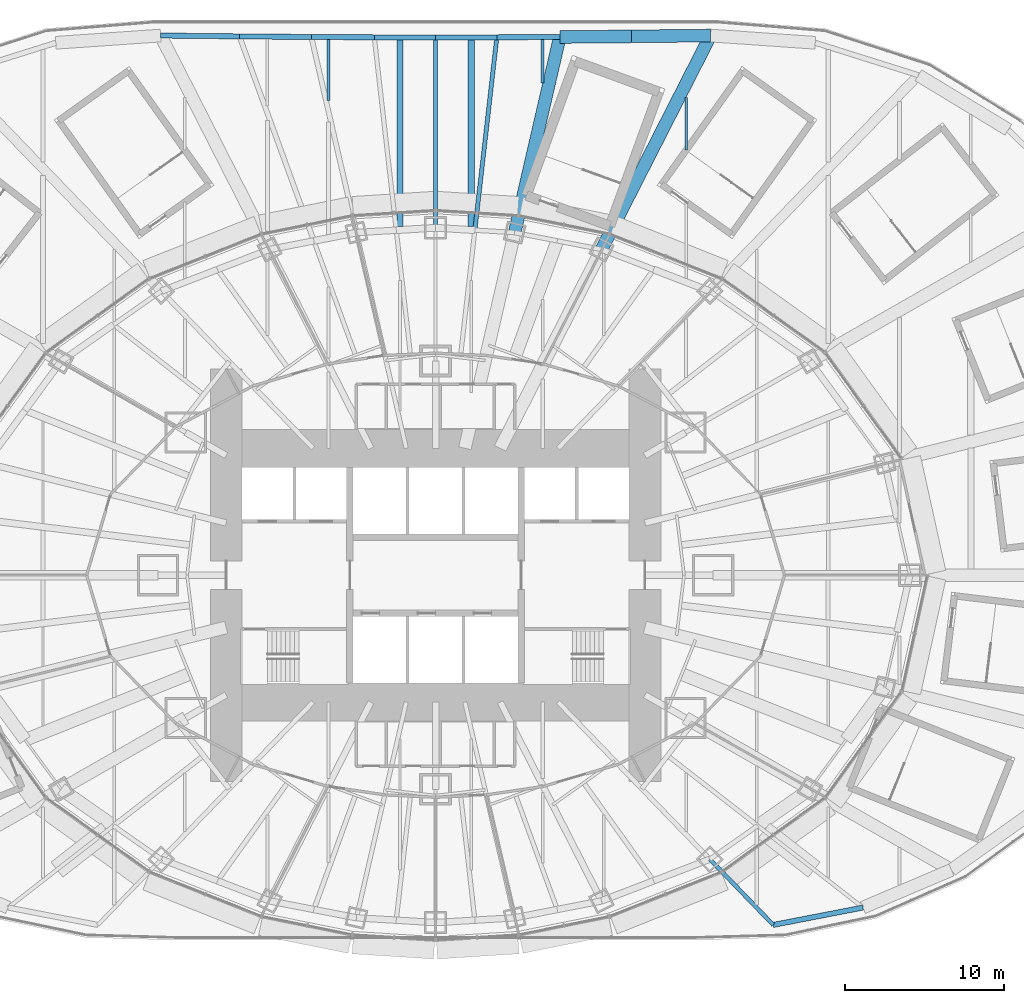
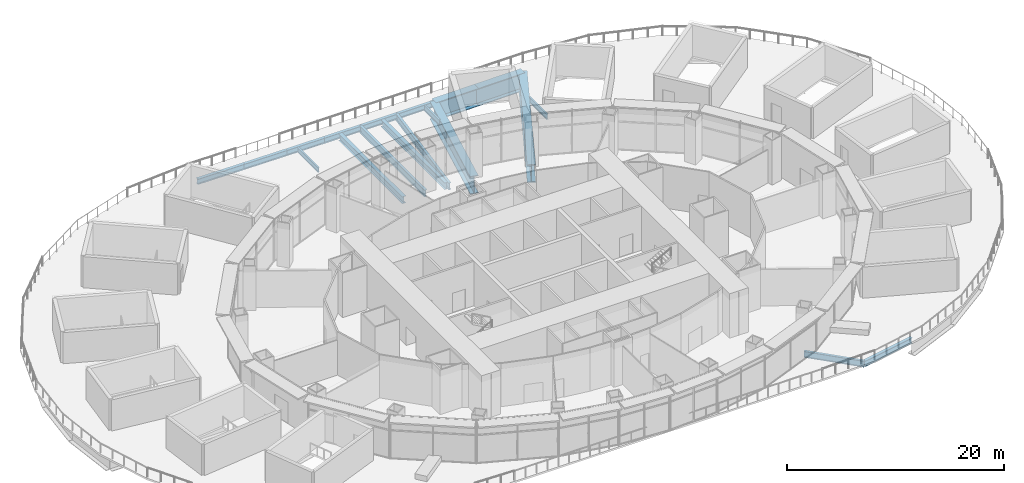
# One storey, part 9 of 25: 19 beams.
"""IFC4 building model written with IfcOpenShell, lengths in metres."""

from ifc_helpers import new_model, si_unit, direction, frame, origin, origin_2d, place, context, subcontext, project, spatial, i_section, extrude, material, material_profile, profile_set, type_object, element, save


model = new_model("IFC4")

# Units and contexts
model_context = context("Model", 3, precision=1e-05, world=origin(), true_north=direction((0.0, 1.0)))
body_context = subcontext(model_context, "Body", "Model", "MODEL_VIEW")
ifc_project = project(units=[si_unit("LENGTHUNIT", "METRE"), si_unit("AREAUNIT", "SQUARE_METRE"), si_unit("VOLUMEUNIT", "CUBIC_METRE"), si_unit("PLANEANGLEUNIT", "RADIAN"), si_unit("MASSUNIT", "GRAM", prefix="KILO")], contexts=[model_context])

# Site, building, storey
site_placement = place(None, origin())
site = spatial("IfcSite", under=ifc_project, at=site_placement, CompositionType="ELEMENT")
building_placement = place(site_placement, origin())
building = spatial("IfcBuilding", under=site, at=building_placement, Name="Lantaw Convention Tower", CompositionType="ELEMENT")
storey_placement = place(building_placement, frame((0.0, 0.0, 32.0)))
storey = spatial("IfcBuildingStorey", under=building, at=storey_placement, Name="L05", CompositionType="ELEMENT", Elevation=32.0)

# Beams
ifc_material_1 = material(Name="Steel ASTM A572 Grade 50", Category="steel")
ifc_material_profile_1 = material_profile(ifc_material_1, i_section(OverallWidth=0.800048828125, OverallDepth=2.0, WebThickness=0.030029296875, FlangeThickness=0.080078125, at=origin_2d()), Name="PG2000X800X30X80")
ifc_profile_set_1 = profile_set([ifc_material_profile_1], Name="Steel ASTM A572 Grade 50")
beam_type_1 = type_object("IfcBeamType", Name="Beam E PG2000X800X30X80", PredefinedType="SPANDREL", material=ifc_profile_set_1)
beam_1_placement = place(storey_placement, frame((17.333984375, 34.019775390625, -1.199951171875), z_axis=(-0.999942166471, -0.010754706535, 0.0), x_axis=(0.010754706535, -0.999942166471, 0.0)))
element("IfcBeam", 1, at=beam_1_placement, inside=storey, type_object=beam_type_1, Name="Podium edge beam R04", PredefinedType="SPANDREL", context=body_context, shape_type="SweptSolid", body=[
    extrude(i_section(OverallWidth=0.800048828125, OverallDepth=2.0, WebThickness=0.030029296875, FlangeThickness=0.080078125, at=origin_2d()), origin(), (0.0, 0.0, 1.0), 4.971435546875),
])
beam_2_placement = place(storey_placement, frame((12.36279296875, 33.96630859375, -1.199951171875), z_axis=(-0.999964655563, -0.00840759331, 0.0), x_axis=(0.00840759331, -0.999964655563, 0.0)))
element("IfcBeam", 2, at=beam_2_placement, inside=storey, type_object=beam_type_1, Name="Podium edge beam B04", PredefinedType="SPANDREL", context=body_context, shape_type="SweptSolid", body=[
    extrude(i_section(OverallWidth=0.800048828125, OverallDepth=2.0, WebThickness=0.030029296875, FlangeThickness=0.080078125, at=origin_2d()), origin(), (0.0, 0.0, 1.0), 4.530029296875),
])
ifc_material_2 = material(Name="Steel ASTM A992", Category="steel")
ifc_material_profile_2 = material_profile(ifc_material_2, i_section(OverallWidth=0.3251953125, OverallDepth=0.612060546875, WebThickness=0.0126953125, FlangeThickness=0.01904296875, FilletRadius=0.0126953125, at=origin_2d()), Name="W24X104")
ifc_profile_set_2 = profile_set([ifc_material_profile_2], Name="Steel ASTM A992")
beam_type_2 = type_object("IfcBeamType", Name="Beam E W24X104", PredefinedType="SPANDREL", material=ifc_profile_set_2)
beam_3_placement = place(storey_placement, frame((7.8330078125, 33.92822265625, -0.506103515625), z_axis=(-0.999985686096, -0.005350476918, 0.0), x_axis=(0.005350476918, -0.999985686096, 0.0)))
element("IfcBeam", 3, at=beam_3_placement, inside=storey, type_object=beam_type_2, Name="Podium edge beam R05", PredefinedType="SPANDREL", context=body_context, shape_type="SweptSolid", body=[
    extrude(i_section(OverallWidth=0.3251953125, OverallDepth=0.612060546875, WebThickness=0.0126953125, FlangeThickness=0.01904296875, FilletRadius=0.0126953125, at=origin_2d()), origin(), (0.0, 0.0, 1.0), 3.9697265625),
])
for number, where, z_axis, x_axis, name in (
    (4, (3.86328125, 33.906982421875, -0.506103515625), (-0.999998320684, -0.001832656174, 0.0), (0.001832656174, -0.999998320684, 0.0), "Podium edge beam B05"),
    (5, (0.0, 33.89990234375, -0.506103515625), (-0.999998320684, 0.001832656174, 0.0), (-0.001832656174, -0.999998320684, 0.0), "Podium edge beam R06"),
):
    element("IfcBeam", number, at=place(storey_placement, frame(where, z_axis=z_axis, x_axis=x_axis)), inside=storey, type_object=beam_type_2, Name=name, PredefinedType="SPANDREL", context=body_context, shape_type="SweptSolid", body=[
        extrude(i_section(OverallWidth=0.3251953125, OverallDepth=0.612060546875, WebThickness=0.0126953125, FlangeThickness=0.01904296875, FilletRadius=0.0126953125, at=origin_2d()), origin(), (0.0, 0.0, 1.0), 3.86328125),
    ])
beam_4_placement = place(storey_placement, frame((-3.86328125, 33.906982421875, -0.506103515625), z_axis=(-0.999985686096, 0.005350476918, 0.0), x_axis=(-0.005350476918, -0.999985686096, 0.0)))
element("IfcBeam", 6, at=beam_4_placement, inside=storey, type_object=beam_type_2, Name="Podium edge beam B06", PredefinedType="SPANDREL", context=body_context, shape_type="SweptSolid", body=[
    extrude(i_section(OverallWidth=0.3251953125, OverallDepth=0.612060546875, WebThickness=0.0126953125, FlangeThickness=0.01904296875, FilletRadius=0.0126953125, at=origin_2d()), origin(), (0.0, 0.0, 1.0), 3.9697265625),
])
beam_5_placement = place(storey_placement, frame((-7.8330078125, 33.92822265625, -0.506103515625), z_axis=(-0.999964655563, 0.00840759331, 0.0), x_axis=(-0.00840759331, -0.999964655563, 0.0)))
element("IfcBeam", 7, at=beam_5_placement, inside=storey, type_object=beam_type_2, Name="Podium edge beam R07", PredefinedType="SPANDREL", context=body_context, shape_type="SweptSolid", body=[
    extrude(i_section(OverallWidth=0.3251953125, OverallDepth=0.612060546875, WebThickness=0.0126953125, FlangeThickness=0.01904296875, FilletRadius=0.0126953125, at=origin_2d()), origin(), (0.0, 0.0, 1.0), 4.530029296875),
])
beam_6_placement = place(storey_placement, frame((-12.36279296875, 33.96630859375, -0.506103515625), z_axis=(-0.999942166471, 0.010754706535, 0.0), x_axis=(-0.010754706535, -0.999942166471, 0.0)))
element("IfcBeam", 8, at=beam_6_placement, inside=storey, type_object=beam_type_2, Name="Podium edge beam B07", PredefinedType="SPANDREL", context=body_context, shape_type="SweptSolid", body=[
    extrude(i_section(OverallWidth=0.3251953125, OverallDepth=0.612060546875, WebThickness=0.0126953125, FlangeThickness=0.01904296875, FilletRadius=0.0126953125, at=origin_2d()), origin(), (0.0, 0.0, 1.0), 4.971435546875),
])
beam_7_placement = place(storey_placement, frame((21.290771484375, -22.04736328125, -0.506103515625), z_axis=(0.981786485539, 0.18998762279, 0.0), x_axis=(-0.18998762279, 0.981786485539, 0.0)))
element("IfcBeam", 9, at=beam_7_placement, inside=storey, type_object=beam_type_2, Name="Podium edge beam R21", PredefinedType="SPANDREL", context=body_context, shape_type="SweptSolid", body=[
    extrude(i_section(OverallWidth=0.3251953125, OverallDepth=0.612060546875, WebThickness=0.0126953125, FlangeThickness=0.01904296875, FilletRadius=0.0126953125, at=origin_2d()), origin(), (0.0, 0.0, 1.0), 5.7568359375),
])
ifc_material_profile_3 = material_profile(ifc_material_2, i_section(OverallWidth=0.1650390625, OverallDepth=0.52587890625, WebThickness=0.0087890625, FlangeThickness=0.011474609375, FilletRadius=0.0126953125, at=origin_2d()), Name="W21X44")
ifc_profile_set_3 = profile_set([ifc_material_profile_3], Name="Steel ASTM A992")
beam_type_3 = type_object("IfcBeamType", Name="Beam J W21X44", PredefinedType="JOIST", material=ifc_profile_set_3)
beam_8_placement = place(storey_placement, frame((-6.75, 29.920654296875, -0.462890625), z_axis=(0.0, 1.0, 0.0), x_axis=(-1.0, 0.0, 0.0)))
element("IfcBeam", 10, at=beam_8_placement, inside=storey, type_object=beam_type_3, Name="Floor joist", PredefinedType="JOIST", context=body_context, shape_type="SweptSolid", body=[
    extrude(i_section(OverallWidth=0.1650390625, OverallDepth=0.52587890625, WebThickness=0.0087890625, FlangeThickness=0.011474609375, FilletRadius=0.0126953125, at=origin_2d()), origin(), (0.0, 0.0, 1.0), 3.839111328125),
])
ifc_material_profile_4 = material_profile(ifc_material_2, i_section(OverallWidth=0.177978515625, OverallDepth=0.599365234375, WebThickness=0.010009765625, FlangeThickness=0.012939453125, FilletRadius=0.012939453125, at=origin_2d()), Name="W24X55")
ifc_profile_set_4 = profile_set([ifc_material_profile_4], Name="Steel ASTM A992")
beam_type_4 = type_object("IfcBeamType", Name="Beam J W24X55", PredefinedType="JOIST", material=ifc_profile_set_4)
beam_9_placement = place(storey_placement, frame((6.75, 31.015625, -0.499755859375), z_axis=(0.0, 1.0, 0.0), x_axis=(-1.0, 0.0, 0.0)))
element("IfcBeam", 11, at=beam_9_placement, inside=storey, type_object=beam_type_4, Name="Floor joist", PredefinedType="JOIST", context=body_context, shape_type="SweptSolid", body=[
    extrude(i_section(OverallWidth=0.177978515625, OverallDepth=0.599365234375, WebThickness=0.010009765625, FlangeThickness=0.012939453125, FilletRadius=0.012939453125, at=origin_2d()), origin(), (0.0, 0.0, 1.0), 2.744140625),
])
beam_10_placement = place(storey_placement, frame((15.800048828125, 26.80029296875, -0.499755859375), z_axis=(0.0, 1.0, 0.0), x_axis=(-1.0, 0.0, 0.0)))
element("IfcBeam", 12, at=beam_10_placement, inside=storey, type_object=beam_type_4, Name="Floor joist", PredefinedType="JOIST", context=body_context, shape_type="SweptSolid", body=[
    extrude(i_section(OverallWidth=0.177978515625, OverallDepth=0.599365234375, WebThickness=0.010009765625, FlangeThickness=0.012939453125, FilletRadius=0.012939453125, at=origin_2d()), origin(), (0.0, 0.0, 1.0), 3.327880859375),
])
ifc_material_profile_5 = material_profile(ifc_material_2, i_section(OverallWidth=0.381103515625, OverallDepth=0.772216796875, WebThickness=0.0166015625, FlangeThickness=0.027099609375, FilletRadius=0.0146484375, at=origin_2d()), Name="W30X173")
ifc_profile_set_5 = profile_set([ifc_material_profile_5], Name="Steel ASTM A992")
beam_type_5 = type_object("IfcBeamType", Name="Beam J W30X173", PredefinedType="JOIST", material=ifc_profile_set_5)
for number, where, z_axis, x_axis, name in (
    (13, (-2.25, 21.97998046875, -0.586181640625), (0.0, 1.0, 0.0), (-1.0, 0.0, 0.0), "Floor joist"),
    (14, (2.25, 21.97998046875, -0.586181640625), (0.0, 1.0, 0.0), (-1.0, 0.0, 0.0), "Floor joist"),
):
    element("IfcBeam", number, at=place(storey_placement, frame(where, z_axis=z_axis, x_axis=x_axis)), inside=storey, type_object=beam_type_5, Name=name, PredefinedType="JOIST", context=body_context, shape_type="SweptSolid", body=[
        extrude(i_section(OverallWidth=0.381103515625, OverallDepth=0.772216796875, WebThickness=0.0166015625, FlangeThickness=0.027099609375, FilletRadius=0.0146484375, at=origin_2d()), origin(), (0.0, 0.0, 1.0), 11.761474609375),
    ])
ifc_material_profile_6 = material_profile(ifc_material_1, i_section(OverallWidth=0.800048828125, OverallDepth=2.0, WebThickness=0.030029296875, FlangeThickness=0.080078125, at=origin_2d()), Name="PG2000X800X30X80")
ifc_profile_set_6 = profile_set([ifc_material_profile_6], Name="Steel ASTM A572 Grade 50")
beam_type_6 = type_object("IfcBeamType", Name="Beam PG PG2000X800X30X80", PredefinedType="BEAM", material=ifc_profile_set_6)
beam_11_placement = place(storey_placement, frame((10.462646484375, 20.533935546875, -1.199951171875), z_axis=(0.453988364005, 0.891007612396, 0.0), x_axis=(-0.891007612396, 0.453988364005, 0.0)))
element("IfcBeam", 15, at=beam_11_placement, inside=storey, type_object=beam_type_6, Name="Podium girder PR05", PredefinedType="BEAM", context=body_context, shape_type="SweptSolid", body=[
    extrude(i_section(OverallWidth=0.800048828125, OverallDepth=2.0, WebThickness=0.030029296875, FlangeThickness=0.080078125, at=origin_2d()), origin(), (0.0, 0.0, 1.0), 15.135498046875),
])
beam_12_placement = place(storey_placement, frame((4.986328125, 21.59814453125, -1.199951171875), z_axis=(0.224955319834, 0.974369080009, 0.0), x_axis=(-0.974369080009, 0.224955319834, 0.0)))
element("IfcBeam", 16, at=beam_12_placement, inside=storey, type_object=beam_type_6, Name="Podium girder PR06", PredefinedType="BEAM", context=body_context, shape_type="SweptSolid", body=[
    extrude(i_section(OverallWidth=0.800048828125, OverallDepth=2.0, WebThickness=0.030029296875, FlangeThickness=0.080078125, at=origin_2d()), origin(), (0.0, 0.0, 1.0), 12.654541015625),
])
ifc_material_profile_7 = material_profile(ifc_material_2, i_section(OverallWidth=0.256591796875, OverallDepth=0.693359375, WebThickness=0.014404296875, FlangeThickness=0.023681640625, FilletRadius=0.01513671875, at=origin_2d()), Name="W27X114")
ifc_profile_set_7 = profile_set([ifc_material_profile_7], Name="Steel ASTM A992")
beam_type_7 = type_object("IfcBeamType", Name="Beam PG W27X114", PredefinedType="BEAM", material=ifc_profile_set_7)
beam_13_placement = place(storey_placement, frame((17.290771484375, -17.9052734375, -0.546630859375), z_axis=(0.694661096328, -0.719337167987, 0.0), x_axis=(0.719337167987, 0.694661096328, 0.0)))
element("IfcBeam", 17, at=beam_13_placement, inside=storey, type_object=beam_type_7, Name="Podium girder PR22", PredefinedType="BEAM", context=body_context, shape_type="SweptSolid", body=[
    extrude(i_section(OverallWidth=0.256591796875, OverallDepth=0.693359375, WebThickness=0.014404296875, FlangeThickness=0.023681640625, FilletRadius=0.01513671875, at=origin_2d()), origin(), (0.0, 0.0, 1.0), 5.75830078125),
])
ifc_material_profile_8 = material_profile(ifc_material_2, i_section(OverallWidth=0.2666015625, OverallDepth=0.76953125, WebThickness=0.015625, FlangeThickness=0.025390625, FilletRadius=0.0126953125, at=origin_2d()), Name="W30X132")
ifc_profile_set_8 = profile_set([ifc_material_profile_8], Name="Steel ASTM A992")
beam_type_8 = type_object("IfcBeamType", Name="Beam PG W30X132", PredefinedType="BEAM", material=ifc_profile_set_8)
beam_14_placement = place(storey_placement, frame((0.0, 21.89990234375, -0.584716796875), z_axis=(0.0, 1.0, 0.0), x_axis=(-1.0, 0.0, 0.0)))
element("IfcBeam", 18, at=beam_14_placement, inside=storey, type_object=beam_type_8, Name="Podium girder PR07", PredefinedType="BEAM", context=body_context, shape_type="SweptSolid", body=[
    extrude(i_section(OverallWidth=0.2666015625, OverallDepth=0.76953125, WebThickness=0.015625, FlangeThickness=0.025390625, FilletRadius=0.0126953125, at=origin_2d()), origin(), (0.0, 0.0, 1.0), 12.0),
])
beam_15_placement = place(storey_placement, frame((2.47802734375, 21.75, -0.584716796875), z_axis=(0.113214567108, 0.993570562061, 0.0), x_axis=(-0.993570562061, 0.113214567108, 0.0)))
element("IfcBeam", 19, at=beam_15_placement, inside=storey, type_object=beam_type_8, Name="Podium girder PB06", PredefinedType="BEAM", context=body_context, shape_type="SweptSolid", body=[
    extrude(i_section(OverallWidth=0.2666015625, OverallDepth=0.76953125, WebThickness=0.015625, FlangeThickness=0.025390625, FilletRadius=0.0126953125, at=origin_2d()), origin(), (0.0, 0.0, 1.0), 12.235595703125),
])

save(model, "model.ifc")
